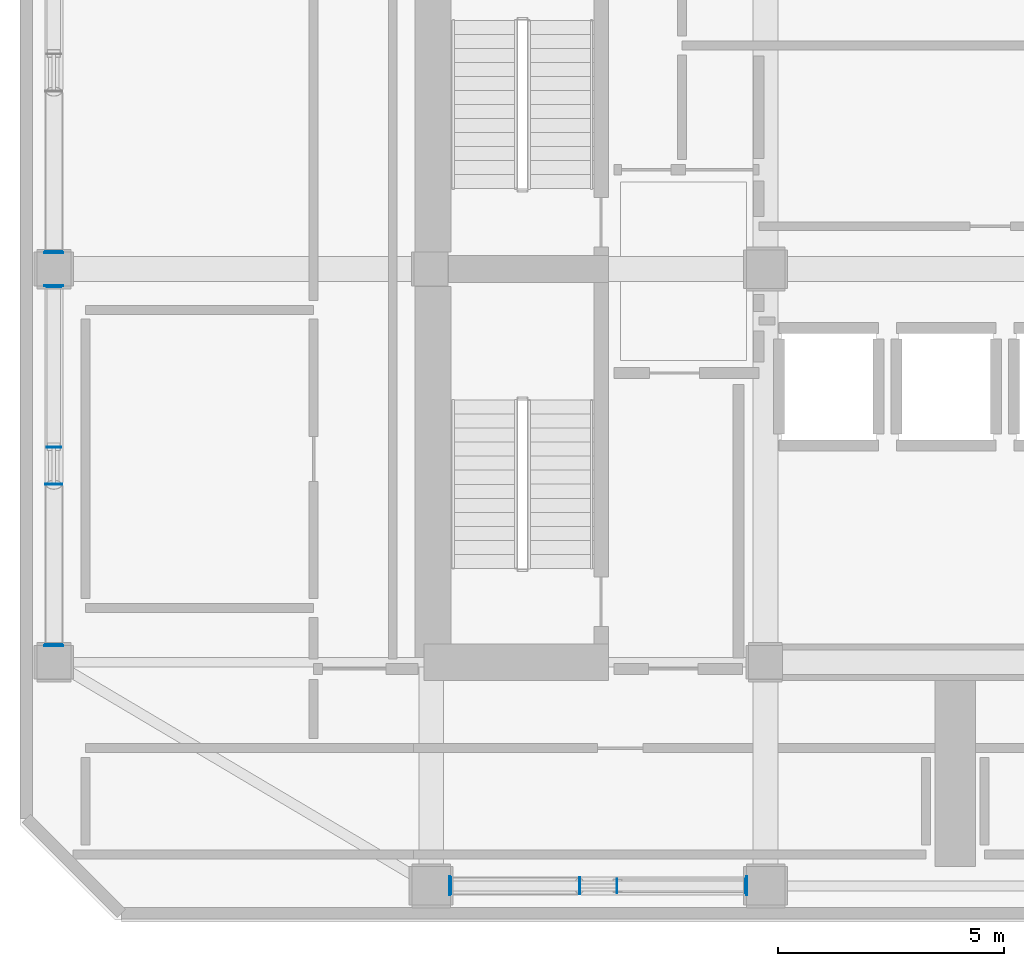
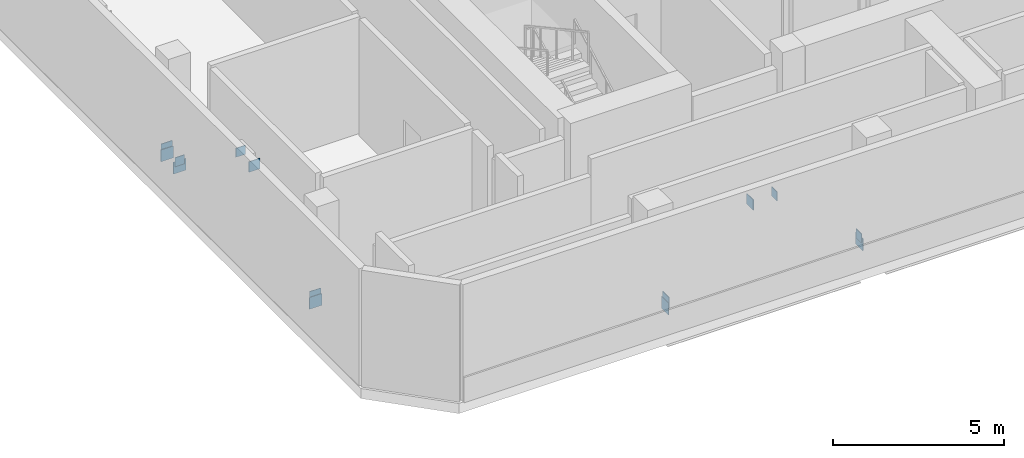
# One storey, part 3 of 13: 14 plates.
"""IFC4 building model written with IfcOpenShell, lengths in metres."""

from ifc_helpers import new_model, si_unit, direction, frame, origin, origin_2d, place, context, subcontext, project, spatial, rectangle, extrude, material, layer, layer_set, type_object, element, save


model = new_model("IFC4")

# Units and contexts
model_context = context("Model", 3, precision=1e-05, world=origin(), true_north=direction((0.0, 1.0)))
body_context = subcontext(model_context, "Body", "Model", "MODEL_VIEW")
ifc_project = project(units=[si_unit("LENGTHUNIT", "METRE"), si_unit("AREAUNIT", "SQUARE_METRE"), si_unit("VOLUMEUNIT", "CUBIC_METRE"), si_unit("PLANEANGLEUNIT", "RADIAN"), si_unit("MASSUNIT", "GRAM", prefix="KILO")], contexts=[model_context])

# Site, building, storey
site_placement = place(None, origin())
site = spatial("IfcSite", under=ifc_project, at=site_placement, CompositionType="ELEMENT")
building_placement = place(site_placement, origin())
building = spatial("IfcBuilding", under=site, at=building_placement, Name="Solanera Arch Residences", CompositionType="ELEMENT")
storey_placement = place(building_placement, frame((0.0, 0.0, 257.840087890625)))
storey = spatial("IfcBuildingStorey", under=building, at=storey_placement, Name="L75", CompositionType="ELEMENT", Elevation=257.840087890625)

# Plates
ifc_material = material(Name="Steel S355 (ASTM A992 / A572 Grade 50)", Category="steel")
ifc_layer = layer(ifc_material, 0.02001953125)
ifc_layer_set = layer_set([ifc_layer], Name="Steel S355 (ASTM A992 / A572 Grade 50)")
plate_type = type_object("IfcPlateType", Name="End Cap Plate EC-20", PredefinedType="USERDEFINED", material=ifc_layer_set)
for number, where, z_axis, x_axis, name in (
    (1, (13.81494140625, 17.050048828125, 0.239990234375), (0.0, 0.0, 1.0), (-1.0, 0.0, 0.0), "Hollow Section End Cap 217"),
    (2, (20.385009765625, 17.050048828125, 0.239990234375), (0.0, 0.0, 1.0), (1.0, 0.0, 0.0), "Hollow Section End Cap 218"),
):
    element("IfcPlate", number, at=place(storey_placement, frame(where, z_axis=z_axis, x_axis=x_axis)), inside=storey, type_object=plate_type, Name=name, ObjectType="STIFFENER", PredefinedType="USERDEFINED", context=body_context, shape_type="SweptSolid", body=[
        extrude(rectangle(XDim=0.02001953125, YDim=0.419921875, at=origin_2d()), origin(), (0.0, 0.0, 1.0), 0.419921875),
    ])
for number, where, z_axis, x_axis, name in (
    (3, (13.8369140625, 17.050048828125, 0.474853515625), (0.0, 0.0, 1.0), (-1.0, 0.0, 0.0), "Hollow Section End Cap 219"),
    (4, (16.68798828125, 17.050048828125, 2.9658203125), (0.0, 0.0, 1.0), (1.0, 0.0, 0.0), "Hollow Section End Cap 220"),
):
    element("IfcPlate", number, at=place(storey_placement, frame(where, z_axis=z_axis, x_axis=x_axis)), inside=storey, type_object=plate_type, Name=name, ObjectType="STIFFENER", PredefinedType="USERDEFINED", context=body_context, shape_type="SweptSolid", body=[
        extrude(rectangle(XDim=0.02001953125, YDim=0.3759765625, at=origin_2d()), origin(), (0.0, 0.0, 1.0), 0.3759765625),
    ])
for number, where, z_axis, x_axis, name in (
    (5, (20.363037109375, 17.050048828125, 0.5029296875), (0.0, 0.0, 1.0), (1.0, 0.0, 0.0), "Hollow Section End Cap 221"),
    (6, (17.511962890625, 17.050048828125, 2.99365234375), (0.0, 0.0, 1.0), (-1.0, 0.0, 0.0), "Hollow Section End Cap 222"),
):
    element("IfcPlate", number, at=place(storey_placement, frame(where, z_axis=z_axis, x_axis=x_axis)), inside=storey, type_object=plate_type, Name=name, ObjectType="STIFFENER", PredefinedType="USERDEFINED", context=body_context, shape_type="SweptSolid", body=[
        extrude(rectangle(XDim=0.02001953125, YDim=0.320068359375, at=origin_2d()), origin(), (0.0, 0.0, 1.0), 0.320068359375),
    ])
for number, where, z_axis, x_axis, name in (
    (7, (5.050048828125, 22.364990234375, 0.239990234375), (0.0, 0.0, 1.0), (0.0, -1.0, 0.0), "Hollow Section End Cap 241"),
    (8, (5.050048828125, 30.3349609375, 0.239990234375), (0.0, 0.0, 1.0), (0.0, 1.0, 0.0), "Hollow Section End Cap 242"),
):
    element("IfcPlate", number, at=place(storey_placement, frame(where, z_axis=z_axis, x_axis=x_axis)), inside=storey, type_object=plate_type, Name=name, ObjectType="STIFFENER", PredefinedType="USERDEFINED", context=body_context, shape_type="SweptSolid", body=[
        extrude(rectangle(XDim=0.02001953125, YDim=0.419921875, at=origin_2d()), origin(), (0.0, 0.0, 1.0), 0.419921875),
    ])
for number, where, z_axis, x_axis, name in (
    (9, (5.050048828125, 22.386962890625, 0.475830078125), (0.0, 0.0, 1.0), (0.0, -1.0, 0.0), "Hollow Section End Cap 243"),
    (10, (5.050048828125, 25.93798828125, 2.96484375), (0.0, 0.0, 1.0), (0.0, 1.0, 0.0), "Hollow Section End Cap 244"),
):
    element("IfcPlate", number, at=place(storey_placement, frame(where, z_axis=z_axis, x_axis=x_axis)), inside=storey, type_object=plate_type, Name=name, ObjectType="STIFFENER", PredefinedType="USERDEFINED", context=body_context, shape_type="SweptSolid", body=[
        extrude(rectangle(XDim=0.02001953125, YDim=0.3759765625, at=origin_2d()), origin(), (0.0, 0.0, 1.0), 0.3759765625),
    ])
for number, where, z_axis, x_axis, name in (
    (11, (5.050048828125, 30.31298828125, 0.50390625), (0.0, 0.0, 1.0), (0.0, 1.0, 0.0), "Hollow Section End Cap 245"),
    (12, (5.050048828125, 26.761962890625, 2.99267578125), (0.0, 0.0, 1.0), (0.0, -1.0, 0.0), "Hollow Section End Cap 246"),
):
    element("IfcPlate", number, at=place(storey_placement, frame(where, z_axis=z_axis, x_axis=x_axis)), inside=storey, type_object=plate_type, Name=name, ObjectType="STIFFENER", PredefinedType="USERDEFINED", context=body_context, shape_type="SweptSolid", body=[
        extrude(rectangle(XDim=0.02001953125, YDim=0.320068359375, at=origin_2d()), origin(), (0.0, 0.0, 1.0), 0.320068359375),
    ])
plate_1_placement = place(storey_placement, frame((5.050048828125, 31.06494140625, 0.239990234375), z_axis=(0.0, 0.0, 1.0), x_axis=(0.0, -1.0, 0.0)))
element("IfcPlate", 13, at=plate_1_placement, inside=storey, type_object=plate_type, Name="Hollow Section End Cap 247", ObjectType="STIFFENER", PredefinedType="USERDEFINED", context=body_context, shape_type="SweptSolid", body=[
    extrude(rectangle(XDim=0.02001953125, YDim=0.419921875, at=origin_2d()), origin(), (0.0, 0.0, 1.0), 0.419921875),
])
plate_2_placement = place(storey_placement, frame((5.050048828125, 31.0869140625, 0.475830078125), z_axis=(0.0, 0.0, 1.0), x_axis=(0.0, -1.0, 0.0)))
element("IfcPlate", 14, at=plate_2_placement, inside=storey, type_object=plate_type, Name="Hollow Section End Cap 249", ObjectType="STIFFENER", PredefinedType="USERDEFINED", context=body_context, shape_type="SweptSolid", body=[
    extrude(rectangle(XDim=0.02001953125, YDim=0.3759765625, at=origin_2d()), origin(), (0.0, 0.0, 1.0), 0.3759765625),
])

save(model, "model.ifc")
